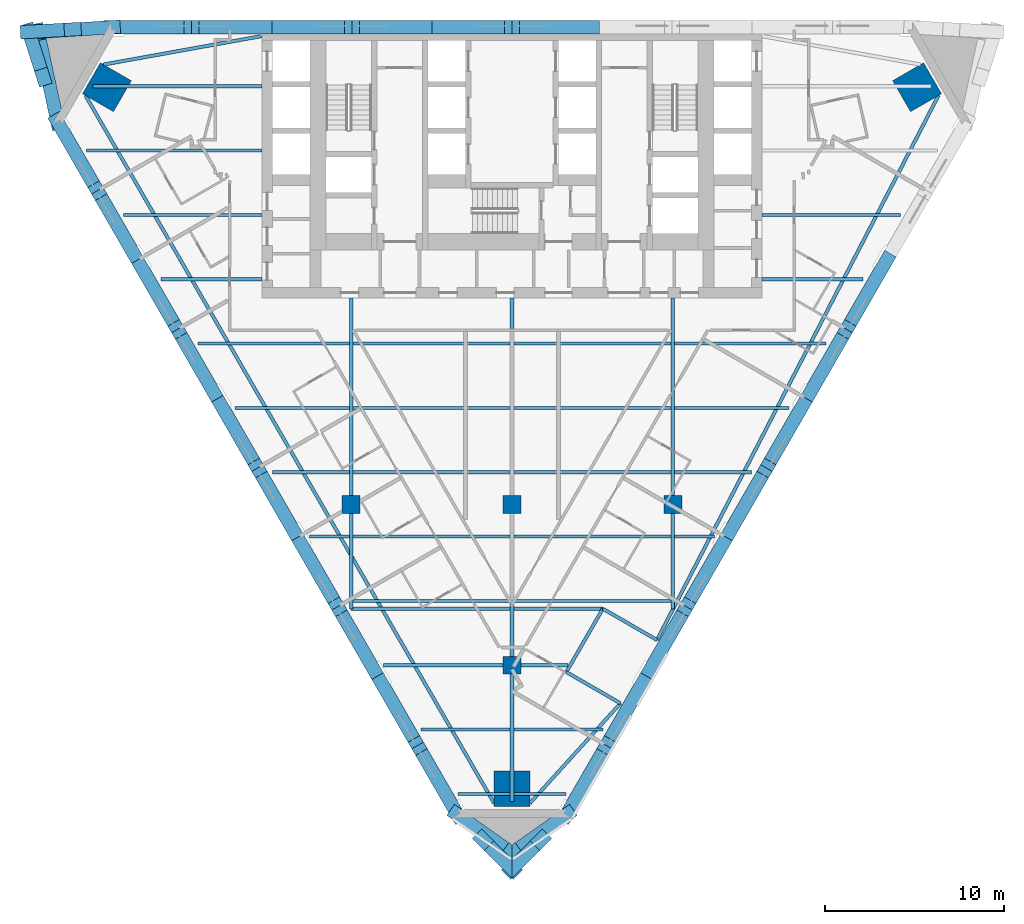
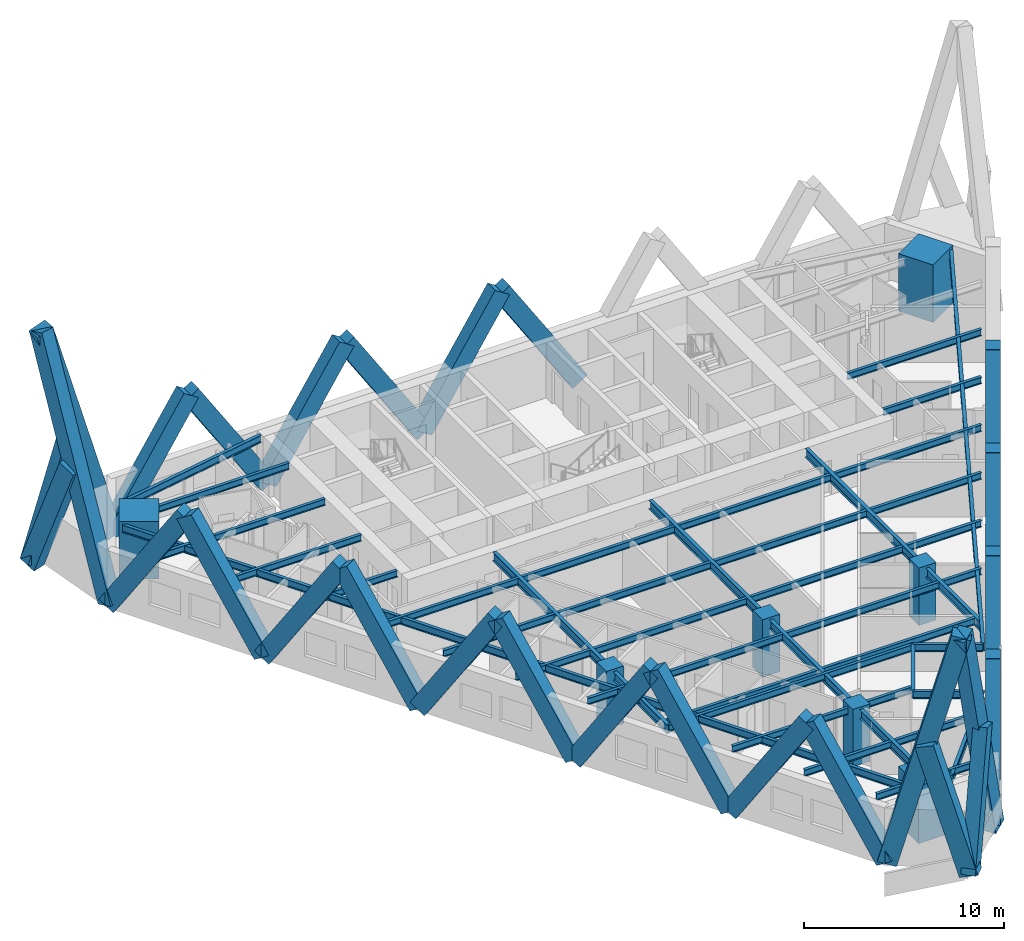
# One storey, part 1 of 11: 45 beams, 32 members, 7 columns.
"""IFC4 building model written with IfcOpenShell, lengths in metres."""

from ifc_helpers import new_model, si_unit, direction, frame, origin, origin_2d, place, context, subcontext, project, spatial, rectangle, i_section, extrude, material, material_profile, profile_set, type_object, element, save


model = new_model("IFC4")

# Units and contexts
model_context = context("Model", 3, precision=1e-05, world=origin(), true_north=direction((0.0, 1.0)))
body_context = subcontext(model_context, "Body", "Model", "MODEL_VIEW")
ifc_project = project(units=[si_unit("LENGTHUNIT", "METRE"), si_unit("AREAUNIT", "SQUARE_METRE"), si_unit("VOLUMEUNIT", "CUBIC_METRE"), si_unit("PLANEANGLEUNIT", "RADIAN"), si_unit("MASSUNIT", "GRAM", prefix="KILO")], contexts=[model_context])

# Site, building, storey
site_placement = place(None, origin())
site = spatial("IfcSite", under=ifc_project, at=site_placement, CompositionType="ELEMENT")
building_placement = place(site_placement, origin())
building = spatial("IfcBuilding", under=site, at=building_placement, Name="Aloe Facet Convention Tower", CompositionType="ELEMENT")
storey_placement = place(building_placement, frame((0.0, 0.0, 63.0)))
storey = spatial("IfcBuildingStorey", under=building, at=storey_placement, Name="L14", CompositionType="ELEMENT", Elevation=63.0)

# Columns
ifc_material_1 = material(Name="Concrete C70/85", Category="concrete")
ifc_material_profile_1 = material_profile(ifc_material_1, rectangle(XDim=1.0, YDim=1.0, at=origin_2d()), Name="SF-GC-Z1")
ifc_profile_set_1 = profile_set([ifc_material_profile_1], Name="Concrete C70/85")
column_type_1 = type_object("IfcColumnType", Name="SF-GC-Z1", PredefinedType="COLUMN", material=ifc_profile_set_1)
for number, where, z_axis, x_axis, name in (
    (1, (71.0, 108.0, 0.0), (0.0, 0.0, 1.0), (1.0, 0.0, 0.0), "Gravity column GC-Z1-8D"),
    (2, (80.0, 99.0, 0.0), (0.0, 0.0, 1.0), (1.0, 0.0, 0.0), "Gravity column GC-Z1-9E"),
    (3, (80.0, 108.0, 0.0), (0.0, 0.0, 1.0), (1.0, 0.0, 0.0), "Gravity column GC-Z1-9D"),
    (4, (89.0, 108.0, 0.0), (0.0, 0.0, 1.0), (1.0, 0.0, 0.0), "Gravity column GC-Z1-10D"),
):
    element("IfcColumn", number, at=place(storey_placement, frame(where, z_axis=z_axis, x_axis=x_axis)), inside=storey, type_object=column_type_1, Name=name, PredefinedType="COLUMN", context=body_context, shape_type="SweptSolid", body=[
        extrude(rectangle(XDim=1.0, YDim=1.0, at=origin_2d()), origin(), (0.0, 0.0, 1.0), 3.5),
    ])
ifc_material_2 = material(Name="Concrete C80/95", Category="concrete")
ifc_material_profile_2 = material_profile(ifc_material_2, rectangle(XDim=2.0, YDim=2.0, at=origin_2d()), Name="STW-MC-Z1")
ifc_profile_set_2 = profile_set([ifc_material_profile_2], Name="Concrete C80/95")
column_type_2 = type_object("IfcColumnType", Name="STW-MC-Z1", PredefinedType="COLUMN", material=ifc_profile_set_2)
for number, where, z_axis, x_axis, name in (
    (5, (102.664306640625, 131.342041015625, 0.0), (0.0, 0.0, 1.0), (-0.5, 0.866025403784, 0.0), "Mega-column MC-NE-L14"),
    (6, (57.335693359375, 131.342041015625, 0.0), (0.0, 0.0, 1.0), (-0.5, -0.866025403784, 0.0), "Mega-column MC-NW-L14"),
    (7, (80.0, 92.086181640625, 0.0), (0.0, 0.0, 1.0), (1.0, 0.0, 0.0), "Mega-column MC-S-L14"),
):
    element("IfcColumn", number, at=place(storey_placement, frame(where, z_axis=z_axis, x_axis=x_axis)), inside=storey, type_object=column_type_2, Name=name, PredefinedType="COLUMN", context=body_context, shape_type="SweptSolid", body=[
        extrude(rectangle(XDim=2.0, YDim=2.0, at=origin_2d()), origin(), (0.0, 0.0, 1.0), 3.5),
    ])

# Beams
ifc_material_3 = material(Name="Steel S355", Category="steel")
ifc_material_profile_3 = material_profile(ifc_material_3, i_section(OverallWidth=0.177734375, OverallDepth=0.402587890625, WebThickness=0.0078125, FlangeThickness=0.010986328125, FilletRadius=0.01025390625, at=origin_2d()), Name="UB 406x178x54")
ifc_profile_set_3 = profile_set([ifc_material_profile_3], Name="Steel S355")
beam_type_1 = type_object("IfcBeamType", Name="SF-B-UB406x178x54", PredefinedType="BEAM", material=ifc_profile_set_3)
beam_1_placement = place(storey_placement, frame((56.194580078125, 127.800048828125, 3.148681640625), z_axis=(1.0, 0.0, 0.0), x_axis=(0.0, 1.0, 0.0)))
element("IfcBeam", 8, at=beam_1_placement, inside=storey, type_object=beam_type_1, Name="Floor beam FB-Z1G-016", PredefinedType="BEAM", context=body_context, shape_type="SweptSolid", body=[
    extrude(i_section(OverallWidth=0.177734375, OverallDepth=0.402587890625, WebThickness=0.0078125, FlangeThickness=0.010986328125, FilletRadius=0.01025390625, at=origin_2d()), origin(), (0.0, 0.0, 1.0), 9.805419921875),
])
beam_2_placement = place(storey_placement, frame((56.55908203125, 131.39990234375, 3.148681640625), z_axis=(1.0, 0.0, 0.0), x_axis=(0.0, 1.0, 0.0)))
element("IfcBeam", 9, at=beam_2_placement, inside=storey, type_object=beam_type_1, Name="Floor beam FB-Z1G-017", PredefinedType="BEAM", context=body_context, shape_type="SweptSolid", body=[
    extrude(i_section(OverallWidth=0.177734375, OverallDepth=0.402587890625, WebThickness=0.0078125, FlangeThickness=0.010986328125, FilletRadius=0.01025390625, at=origin_2d()), origin(), (0.0, 0.0, 1.0), 9.44091796875),
])
beam_3_placement = place(storey_placement, frame((58.27294921875, 124.199951171875, 3.148681640625), z_axis=(1.0, 0.0, 0.0), x_axis=(0.0, 1.0, 0.0)))
element("IfcBeam", 10, at=beam_3_placement, inside=storey, type_object=beam_type_1, Name="Floor beam FB-Z1G-018", PredefinedType="BEAM", context=body_context, shape_type="SweptSolid", body=[
    extrude(i_section(OverallWidth=0.177734375, OverallDepth=0.402587890625, WebThickness=0.0078125, FlangeThickness=0.010986328125, FilletRadius=0.01025390625, at=origin_2d()), origin(), (0.0, 0.0, 1.0), 7.72705078125),
])
beam_4_placement = place(storey_placement, frame((60.351318359375, 120.60009765625, 3.148681640625), z_axis=(1.0, 0.0, 0.0), x_axis=(0.0, 1.0, 0.0)))
element("IfcBeam", 11, at=beam_4_placement, inside=storey, type_object=beam_type_1, Name="Floor beam FB-Z1G-019", PredefinedType="BEAM", context=body_context, shape_type="SweptSolid", body=[
    extrude(i_section(OverallWidth=0.177734375, OverallDepth=0.402587890625, WebThickness=0.0078125, FlangeThickness=0.010986328125, FilletRadius=0.01025390625, at=origin_2d()), origin(), (0.0, 0.0, 1.0), 5.648681640625),
])
beam_5_placement = place(storey_placement, frame((62.429931640625, 117.0, 3.148681640625), z_axis=(1.0, 0.0, 0.0), x_axis=(0.0, 1.0, 0.0)))
element("IfcBeam", 12, at=beam_5_placement, inside=storey, type_object=beam_type_1, Name="Floor beam FB-Z1G-020", PredefinedType="BEAM", context=body_context, shape_type="SweptSolid", body=[
    extrude(i_section(OverallWidth=0.177734375, OverallDepth=0.402587890625, WebThickness=0.0078125, FlangeThickness=0.010986328125, FilletRadius=0.01025390625, at=origin_2d()), origin(), (0.0, 0.0, 1.0), 8.464599609375),
])
beam_6_placement = place(storey_placement, frame((64.50830078125, 113.39990234375, 3.148681640625), z_axis=(1.0, 0.0, 0.0), x_axis=(0.0, 1.0, 0.0)))
element("IfcBeam", 13, at=beam_6_placement, inside=storey, type_object=beam_type_1, Name="Floor beam FB-Z1G-021", PredefinedType="BEAM", context=body_context, shape_type="SweptSolid", body=[
    extrude(i_section(OverallWidth=0.177734375, OverallDepth=0.402587890625, WebThickness=0.0078125, FlangeThickness=0.010986328125, FilletRadius=0.01025390625, at=origin_2d()), origin(), (0.0, 0.0, 1.0), 6.38623046875),
])
beam_7_placement = place(storey_placement, frame((66.5869140625, 109.800048828125, 3.148681640625), z_axis=(1.0, 0.0, 0.0), x_axis=(0.0, 1.0, 0.0)))
element("IfcBeam", 14, at=beam_7_placement, inside=storey, type_object=beam_type_1, Name="Floor beam FB-Z1G-022", PredefinedType="BEAM", context=body_context, shape_type="SweptSolid", body=[
    extrude(i_section(OverallWidth=0.177734375, OverallDepth=0.402587890625, WebThickness=0.0078125, FlangeThickness=0.010986328125, FilletRadius=0.01025390625, at=origin_2d()), origin(), (0.0, 0.0, 1.0), 4.3076171875),
])
beam_8_placement = place(storey_placement, frame((68.665283203125, 106.199951171875, 3.148681640625), z_axis=(1.0, 0.0, 0.0), x_axis=(0.0, 1.0, 0.0)))
element("IfcBeam", 15, at=beam_8_placement, inside=storey, type_object=beam_type_1, Name="Floor beam FB-Z1G-023", PredefinedType="BEAM", context=body_context, shape_type="SweptSolid", body=[
    extrude(i_section(OverallWidth=0.177734375, OverallDepth=0.402587890625, WebThickness=0.0078125, FlangeThickness=0.010986328125, FilletRadius=0.01025390625, at=origin_2d()), origin(), (0.0, 0.0, 1.0), 2.229248046875),
])
for number, where, z_axis, x_axis, name in (
    (16, (71.10546875, 102.60009765625, 3.148681640625), (1.0, 0.0, 0.0), (0.0, 1.0, 0.0), "Floor beam FB-Z1G-024"),
    (17, (71.10546875, 106.199951171875, 3.148681640625), (1.0, 0.0, 0.0), (0.0, 1.0, 0.0), "Floor beam FB-Z1G-025"),
    (18, (71.10546875, 109.800048828125, 3.148681640625), (1.0, 0.0, 0.0), (0.0, 1.0, 0.0), "Floor beam FB-Z1G-026"),
    (19, (71.10546875, 113.39990234375, 3.148681640625), (1.0, 0.0, 0.0), (0.0, 1.0, 0.0), "Floor beam FB-Z1G-027"),
    (20, (71.10546875, 117.0, 3.148681640625), (1.0, 0.0, 0.0), (0.0, 1.0, 0.0), "Floor beam FB-Z1G-028"),
):
    element("IfcBeam", number, at=place(storey_placement, frame(where, z_axis=z_axis, x_axis=x_axis)), inside=storey, type_object=beam_type_1, Name=name, PredefinedType="BEAM", context=body_context, shape_type="SweptSolid", body=[
        extrude(i_section(OverallWidth=0.177734375, OverallDepth=0.402587890625, WebThickness=0.0078125, FlangeThickness=0.010986328125, FilletRadius=0.01025390625, at=origin_2d()), origin(), (0.0, 0.0, 1.0), 8.7890625),
    ])
beam_9_placement = place(storey_placement, frame((72.822265625, 99.0, 3.148681640625), z_axis=(1.0, 0.0, 0.0), x_axis=(0.0, 1.0, 0.0)))
element("IfcBeam", 21, at=beam_9_placement, inside=storey, type_object=beam_type_1, Name="Floor beam FB-Z1G-029", PredefinedType="BEAM", context=body_context, shape_type="SweptSolid", body=[
    extrude(i_section(OverallWidth=0.177734375, OverallDepth=0.402587890625, WebThickness=0.0078125, FlangeThickness=0.010986328125, FilletRadius=0.01025390625, at=origin_2d()), origin(), (0.0, 0.0, 1.0), 6.677734375),
])
beam_10_placement = place(storey_placement, frame((74.900634765625, 95.39990234375, 3.148681640625), z_axis=(1.0, 0.0, 0.0), x_axis=(0.0, 1.0, 0.0)))
element("IfcBeam", 22, at=beam_10_placement, inside=storey, type_object=beam_type_1, Name="Floor beam FB-Z1G-030", PredefinedType="BEAM", context=body_context, shape_type="SweptSolid", body=[
    extrude(i_section(OverallWidth=0.177734375, OverallDepth=0.402587890625, WebThickness=0.0078125, FlangeThickness=0.010986328125, FilletRadius=0.01025390625, at=origin_2d()), origin(), (0.0, 0.0, 1.0), 4.993896484375),
])
for number, where, z_axis, x_axis, name in (
    (23, (76.97900390625, 91.800048828125, 3.148681640625), (1.0, 0.0, 0.0), (0.0, 1.0, 0.0), "Floor beam FB-Z1G-031"),
    (24, (80.10546875, 91.800048828125, 3.148681640625), (1.0, 0.0, 0.0), (0.0, 1.0, 0.0), "Floor beam FB-Z1G-032"),
):
    element("IfcBeam", number, at=place(storey_placement, frame(where, z_axis=z_axis, x_axis=x_axis)), inside=storey, type_object=beam_type_1, Name=name, PredefinedType="BEAM", context=body_context, shape_type="SweptSolid", body=[
        extrude(i_section(OverallWidth=0.177734375, OverallDepth=0.402587890625, WebThickness=0.0078125, FlangeThickness=0.010986328125, FilletRadius=0.01025390625, at=origin_2d()), origin(), (0.0, 0.0, 1.0), 2.91552734375),
    ])
beam_11_placement = place(storey_placement, frame((80.10546875, 95.39990234375, 3.148681640625), z_axis=(1.0, 0.0, 0.0), x_axis=(0.0, 1.0, 0.0)))
element("IfcBeam", 25, at=beam_11_placement, inside=storey, type_object=beam_type_1, Name="Floor beam FB-Z1G-033", PredefinedType="BEAM", context=body_context, shape_type="SweptSolid", body=[
    extrude(i_section(OverallWidth=0.177734375, OverallDepth=0.402587890625, WebThickness=0.0078125, FlangeThickness=0.010986328125, FilletRadius=0.01025390625, at=origin_2d()), origin(), (0.0, 0.0, 1.0), 4.993896484375),
])
for number, where, z_axis, x_axis, name in (
    (26, (80.10546875, 102.60009765625, 3.148681640625), (1.0, 0.0, 0.0), (0.0, 1.0, 0.0), "Floor beam FB-Z1G-034"),
    (27, (80.10546875, 106.199951171875, 3.148681640625), (1.0, 0.0, 0.0), (0.0, 1.0, 0.0), "Floor beam FB-Z1G-035"),
    (28, (80.10546875, 109.800048828125, 3.148681640625), (1.0, 0.0, 0.0), (0.0, 1.0, 0.0), "Floor beam FB-Z1G-036"),
    (29, (80.10546875, 113.39990234375, 3.148681640625), (1.0, 0.0, 0.0), (0.0, 1.0, 0.0), "Floor beam FB-Z1G-037"),
    (30, (80.10546875, 117.0, 3.148681640625), (1.0, 0.0, 0.0), (0.0, 1.0, 0.0), "Floor beam FB-Z1G-038"),
):
    element("IfcBeam", number, at=place(storey_placement, frame(where, z_axis=z_axis, x_axis=x_axis)), inside=storey, type_object=beam_type_1, Name=name, PredefinedType="BEAM", context=body_context, shape_type="SweptSolid", body=[
        extrude(i_section(OverallWidth=0.177734375, OverallDepth=0.402587890625, WebThickness=0.0078125, FlangeThickness=0.010986328125, FilletRadius=0.01025390625, at=origin_2d()), origin(), (0.0, 0.0, 1.0), 8.7890625),
    ])
beam_12_placement = place(storey_placement, frame((80.5, 99.0, 3.148681640625), z_axis=(1.0, 0.0, 0.0), x_axis=(0.0, 1.0, 0.0)))
element("IfcBeam", 31, at=beam_12_placement, inside=storey, type_object=beam_type_1, Name="Floor beam FB-Z1G-039", PredefinedType="BEAM", context=body_context, shape_type="SweptSolid", body=[
    extrude(i_section(OverallWidth=0.177734375, OverallDepth=0.402587890625, WebThickness=0.0078125, FlangeThickness=0.010986328125, FilletRadius=0.01025390625, at=origin_2d()), origin(), (0.0, 0.0, 1.0), 2.636474609375),
])
beam_13_placement = place(storey_placement, frame((85.0830078125, 102.164306640625, 3.148681640625), z_axis=(-1.0, 0.0, 0.0), x_axis=(0.0, -1.0, 0.0)))
element("IfcBeam", 32, at=beam_13_placement, inside=storey, type_object=beam_type_1, Name="Floor beam FB-Z1G-040", PredefinedType="BEAM", context=body_context, shape_type="SweptSolid", body=[
    extrude(i_section(OverallWidth=0.177734375, OverallDepth=0.402587890625, WebThickness=0.0078125, FlangeThickness=0.010986328125, FilletRadius=0.01025390625, at=origin_2d()), origin(), (0.0, 0.0, 1.0), 14.0830078125),
])
beam_14_placement = place(storey_placement, frame((89.10546875, 106.199951171875, 3.148681640625), z_axis=(1.0, 0.0, 0.0), x_axis=(0.0, 1.0, 0.0)))
element("IfcBeam", 33, at=beam_14_placement, inside=storey, type_object=beam_type_1, Name="Floor beam FB-Z1G-041", PredefinedType="BEAM", context=body_context, shape_type="SweptSolid", body=[
    extrude(i_section(OverallWidth=0.177734375, OverallDepth=0.402587890625, WebThickness=0.0078125, FlangeThickness=0.010986328125, FilletRadius=0.01025390625, at=origin_2d()), origin(), (0.0, 0.0, 1.0), 2.229248046875),
])
beam_15_placement = place(storey_placement, frame((89.10546875, 109.800048828125, 3.148681640625), z_axis=(1.0, 0.0, 0.0), x_axis=(0.0, 1.0, 0.0)))
element("IfcBeam", 34, at=beam_15_placement, inside=storey, type_object=beam_type_1, Name="Floor beam FB-Z1G-042", PredefinedType="BEAM", context=body_context, shape_type="SweptSolid", body=[
    extrude(i_section(OverallWidth=0.177734375, OverallDepth=0.402587890625, WebThickness=0.0078125, FlangeThickness=0.010986328125, FilletRadius=0.01025390625, at=origin_2d()), origin(), (0.0, 0.0, 1.0), 4.3076171875),
])
beam_16_placement = place(storey_placement, frame((89.10546875, 113.39990234375, 3.148681640625), z_axis=(1.0, 0.0, 0.0), x_axis=(0.0, 1.0, 0.0)))
element("IfcBeam", 35, at=beam_16_placement, inside=storey, type_object=beam_type_1, Name="Floor beam FB-Z1G-043", PredefinedType="BEAM", context=body_context, shape_type="SweptSolid", body=[
    extrude(i_section(OverallWidth=0.177734375, OverallDepth=0.402587890625, WebThickness=0.0078125, FlangeThickness=0.010986328125, FilletRadius=0.01025390625, at=origin_2d()), origin(), (0.0, 0.0, 1.0), 6.38623046875),
])
beam_17_placement = place(storey_placement, frame((89.10546875, 117.0, 3.148681640625), z_axis=(1.0, 0.0, 0.0), x_axis=(0.0, 1.0, 0.0)))
element("IfcBeam", 36, at=beam_17_placement, inside=storey, type_object=beam_type_1, Name="Floor beam FB-Z1G-044", PredefinedType="BEAM", context=body_context, shape_type="SweptSolid", body=[
    extrude(i_section(OverallWidth=0.177734375, OverallDepth=0.402587890625, WebThickness=0.0078125, FlangeThickness=0.010986328125, FilletRadius=0.01025390625, at=origin_2d()), origin(), (0.0, 0.0, 1.0), 8.464599609375),
])
beam_18_placement = place(storey_placement, frame((94.0, 120.60009765625, 3.148681640625), z_axis=(1.0, 0.0, 0.0), x_axis=(0.0, 1.0, 0.0)))
element("IfcBeam", 37, at=beam_18_placement, inside=storey, type_object=beam_type_1, Name="Floor beam FB-Z1G-045", PredefinedType="BEAM", context=body_context, shape_type="SweptSolid", body=[
    extrude(i_section(OverallWidth=0.177734375, OverallDepth=0.402587890625, WebThickness=0.0078125, FlangeThickness=0.010986328125, FilletRadius=0.01025390625, at=origin_2d()), origin(), (0.0, 0.0, 1.0), 5.648681640625),
])
beam_19_placement = place(storey_placement, frame((94.0, 124.199951171875, 3.148681640625), z_axis=(1.0, 0.0, 0.0), x_axis=(0.0, 1.0, 0.0)))
element("IfcBeam", 38, at=beam_19_placement, inside=storey, type_object=beam_type_1, Name="Floor beam FB-Z1G-046", PredefinedType="BEAM", context=body_context, shape_type="SweptSolid", body=[
    extrude(i_section(OverallWidth=0.177734375, OverallDepth=0.402587890625, WebThickness=0.0078125, FlangeThickness=0.010986328125, FilletRadius=0.01025390625, at=origin_2d()), origin(), (0.0, 0.0, 1.0), 7.72705078125),
])
ifc_material_4 = material(Name="Steel S355", Category="steel")
ifc_material_profile_4 = material_profile(ifc_material_4, i_section(OverallWidth=0.18994140625, OverallDepth=0.453369140625, WebThickness=0.008544921875, FlangeThickness=0.0126953125, FilletRadius=0.01025390625, at=origin_2d()), Name="UB 457x191x67")
ifc_profile_set_4 = profile_set([ifc_material_profile_4], Name="Steel S355")
beam_type_2 = type_object("IfcBeamType", Name="SF-B-UB457x191x67", PredefinedType="BEAM", material=ifc_profile_set_4)
beam_20_placement = place(storey_placement, frame((66.0, 134.205078125, 3.123291015625), z_axis=(-0.984194951593, -0.177088388265, 0.0), x_axis=(0.177088388265, -0.984194951593, 0.0)))
element("IfcBeam", 39, at=beam_20_placement, inside=storey, type_object=beam_type_2, Name="Floor beam FB-Z1G-001", PredefinedType="BEAM", context=body_context, shape_type="SweptSolid", body=[
    extrude(i_section(OverallWidth=0.18994140625, OverallDepth=0.453369140625, WebThickness=0.008544921875, FlangeThickness=0.0126953125, FilletRadius=0.01025390625, at=origin_2d()), origin(), (0.0, 0.0, 1.0), 9.00390625),
])
beam_21_placement = place(storey_placement, frame((79.0, 91.28125, 3.123291015625), z_axis=(-0.499999929878, 0.866025444269, 0.0), x_axis=(-0.866025444269, -0.499999929878, 0.0)))
element("IfcBeam", 40, at=beam_21_placement, inside=storey, type_object=beam_type_2, Name="Floor beam FB-Z1G-002", PredefinedType="BEAM", context=body_context, shape_type="SweptSolid", body=[
    extrude(i_section(OverallWidth=0.18994140625, OverallDepth=0.453369140625, WebThickness=0.008544921875, FlangeThickness=0.0126953125, FilletRadius=0.01025390625, at=origin_2d()), origin(), (0.0, 0.0, 1.0), 45.72314453125),
])
beam_22_placement = place(storey_placement, frame((83.0380859375, 98.622314453125, 3.123291015625), z_axis=(0.866019471182, -0.500010275428, 0.0), x_axis=(0.500010275428, 0.866019471182, 0.0)))
element("IfcBeam", 41, at=beam_22_placement, inside=storey, type_object=beam_type_2, Name="Floor beam FB-Z1G-003", PredefinedType="BEAM", context=body_context, shape_type="SweptSolid", body=[
    extrude(i_section(OverallWidth=0.18994140625, OverallDepth=0.453369140625, WebThickness=0.008544921875, FlangeThickness=0.0126953125, FilletRadius=0.01025390625, at=origin_2d()), origin(), (0.0, 0.0, 1.0), 3.5),
])
beam_23_placement = place(storey_placement, frame((85.0830078125, 102.164306640625, 3.123291015625), z_axis=(-0.499991148707, -0.866030514021, 0.0), x_axis=(0.866030514021, -0.499991148707, 0.0)))
element("IfcBeam", 42, at=beam_23_placement, inside=storey, type_object=beam_type_2, Name="Floor beam FB-Z1G-004", PredefinedType="BEAM", context=body_context, shape_type="SweptSolid", body=[
    extrude(i_section(OverallWidth=0.18994140625, OverallDepth=0.453369140625, WebThickness=0.008544921875, FlangeThickness=0.0126953125, FilletRadius=0.01025390625, at=origin_2d()), origin(), (0.0, 0.0, 1.0), 4.08984375),
])
beam_24_placement = place(storey_placement, frame((86.069091796875, 96.872314453125, 3.123291015625), z_axis=(-0.671678712427, -0.74084256578, 0.0), x_axis=(0.74084256578, -0.671678712427, 0.0)))
element("IfcBeam", 43, at=beam_24_placement, inside=storey, type_object=beam_type_2, Name="Floor beam FB-Z1G-005", PredefinedType="BEAM", context=body_context, shape_type="SweptSolid", body=[
    extrude(i_section(OverallWidth=0.18994140625, OverallDepth=0.453369140625, WebThickness=0.008544921875, FlangeThickness=0.0126953125, FilletRadius=0.01025390625, at=origin_2d()), origin(), (0.0, 0.0, 1.0), 7.546875),
])
beam_25_placement = place(storey_placement, frame((88.114013671875, 100.414306640625, 3.123291015625), z_axis=(-0.866019471182, 0.500010275428, 0.0), x_axis=(-0.500010275428, -0.866019471182, 0.0)))
element("IfcBeam", 44, at=beam_25_placement, inside=storey, type_object=beam_type_2, Name="Floor beam FB-Z1G-006", PredefinedType="BEAM", context=body_context, shape_type="SweptSolid", body=[
    extrude(i_section(OverallWidth=0.18994140625, OverallDepth=0.453369140625, WebThickness=0.008544921875, FlangeThickness=0.0126953125, FilletRadius=0.01025390625, at=origin_2d()), origin(), (0.0, 0.0, 1.0), 3.5),
])
beam_26_placement = place(storey_placement, frame((88.114013671875, 100.414306640625, 3.123291015625), z_axis=(0.459195920917, 0.88833501913, 0.0), x_axis=(-0.88833501913, 0.459195920917, 0.0)))
element("IfcBeam", 45, at=beam_26_placement, inside=storey, type_object=beam_type_2, Name="Floor beam FB-Z1G-007", PredefinedType="BEAM", context=body_context, shape_type="SweptSolid", body=[
    extrude(i_section(OverallWidth=0.18994140625, OverallDepth=0.453369140625, WebThickness=0.008544921875, FlangeThickness=0.0126953125, FilletRadius=0.01025390625, at=origin_2d()), origin(), (0.0, 0.0, 1.0), 34.293701171875),
])
ifc_material_5 = material(Name="Steel S355", Category="steel")
ifc_material_profile_5 = material_profile(ifc_material_5, i_section(OverallWidth=0.210693359375, OverallDepth=0.53955078125, WebThickness=0.01171875, FlangeThickness=0.018798828125, FilletRadius=0.0126953125, at=origin_2d()), Name="UB 533x210x109")
ifc_profile_set_5 = profile_set([ifc_material_profile_5], Name="Steel S355")
beam_type_3 = type_object("IfcBeamType", Name="SF-B-UB533x210x109", PredefinedType="BEAM", material=ifc_profile_set_5)
beam_27_placement = place(storey_placement, frame((71.0, 107.5, 3.080078125), z_axis=(0.0, -1.0, 0.0), x_axis=(1.0, 0.0, 0.0)))
element("IfcBeam", 46, at=beam_27_placement, inside=storey, type_object=beam_type_3, Name="Floor beam FB-Z1G-009", PredefinedType="BEAM", context=body_context, shape_type="SweptSolid", body=[
    extrude(i_section(OverallWidth=0.210693359375, OverallDepth=0.53955078125, WebThickness=0.01171875, FlangeThickness=0.018798828125, FilletRadius=0.0126953125, at=origin_2d()), origin(), (0.0, 0.0, 1.0), 5.351318359375),
])
beam_28_placement = place(storey_placement, frame((71.0, 119.550048828125, 3.080078125), z_axis=(0.0, -1.0, 0.0), x_axis=(1.0, 0.0, 0.0)))
element("IfcBeam", 47, at=beam_28_placement, inside=storey, type_object=beam_type_3, Name="Floor beam FB-Z1G-010", PredefinedType="BEAM", context=body_context, shape_type="SweptSolid", body=[
    extrude(i_section(OverallWidth=0.210693359375, OverallDepth=0.53955078125, WebThickness=0.01171875, FlangeThickness=0.018798828125, FilletRadius=0.0126953125, at=origin_2d()), origin(), (0.0, 0.0, 1.0), 11.050048828125),
])
beam_29_placement = place(storey_placement, frame((80.0, 98.5, 3.080078125), z_axis=(0.0, -1.0, 0.0), x_axis=(1.0, 0.0, 0.0)))
element("IfcBeam", 48, at=beam_29_placement, inside=storey, type_object=beam_type_3, Name="Floor beam FB-Z1G-011", PredefinedType="BEAM", context=body_context, shape_type="SweptSolid", body=[
    extrude(i_section(OverallWidth=0.210693359375, OverallDepth=0.53955078125, WebThickness=0.01171875, FlangeThickness=0.018798828125, FilletRadius=0.0126953125, at=origin_2d()), origin(), (0.0, 0.0, 1.0), 7.11376953125),
])
beam_30_placement = place(storey_placement, frame((80.0, 107.5, 3.080078125), z_axis=(0.0, -1.0, 0.0), x_axis=(1.0, 0.0, 0.0)))
element("IfcBeam", 49, at=beam_30_placement, inside=storey, type_object=beam_type_3, Name="Floor beam FB-Z1G-012", PredefinedType="BEAM", context=body_context, shape_type="SweptSolid", body=[
    extrude(i_section(OverallWidth=0.210693359375, OverallDepth=0.53955078125, WebThickness=0.01171875, FlangeThickness=0.018798828125, FilletRadius=0.0126953125, at=origin_2d()), origin(), (0.0, 0.0, 1.0), 8.0),
])
beam_31_placement = place(storey_placement, frame((80.0, 119.550048828125, 3.080078125), z_axis=(0.0, -1.0, 0.0), x_axis=(1.0, 0.0, 0.0)))
element("IfcBeam", 50, at=beam_31_placement, inside=storey, type_object=beam_type_3, Name="Floor beam FB-Z1G-013", PredefinedType="BEAM", context=body_context, shape_type="SweptSolid", body=[
    extrude(i_section(OverallWidth=0.210693359375, OverallDepth=0.53955078125, WebThickness=0.01171875, FlangeThickness=0.018798828125, FilletRadius=0.0126953125, at=origin_2d()), origin(), (0.0, 0.0, 1.0), 11.050048828125),
])
beam_32_placement = place(storey_placement, frame((89.0, 107.5, 3.080078125), z_axis=(0.0, -1.0, 0.0), x_axis=(1.0, 0.0, 0.0)))
element("IfcBeam", 51, at=beam_32_placement, inside=storey, type_object=beam_type_3, Name="Floor beam FB-Z1G-014", PredefinedType="BEAM", context=body_context, shape_type="SweptSolid", body=[
    extrude(i_section(OverallWidth=0.210693359375, OverallDepth=0.53955078125, WebThickness=0.01171875, FlangeThickness=0.018798828125, FilletRadius=0.0126953125, at=origin_2d()), origin(), (0.0, 0.0, 1.0), 5.351318359375),
])
beam_33_placement = place(storey_placement, frame((89.0, 119.550048828125, 3.080078125), z_axis=(0.0, -1.0, 0.0), x_axis=(1.0, 0.0, 0.0)))
element("IfcBeam", 52, at=beam_33_placement, inside=storey, type_object=beam_type_3, Name="Floor beam FB-Z1G-015", PredefinedType="BEAM", context=body_context, shape_type="SweptSolid", body=[
    extrude(i_section(OverallWidth=0.210693359375, OverallDepth=0.53955078125, WebThickness=0.01171875, FlangeThickness=0.018798828125, FilletRadius=0.0126953125, at=origin_2d()), origin(), (0.0, 0.0, 1.0), 11.050048828125),
])

# Members
ifc_material_6 = material(Name="Concrete C60/75, bronze oxide finish", Category="concrete")
ifc_material_profile_6 = material_profile(ifc_material_6, rectangle(XDim=0.75, YDim=1.0, at=origin_2d()), Name="STW-LM")
ifc_profile_set_6 = profile_set([ifc_material_profile_6], Name="Concrete C60/75, bronze oxide finish")
member_type = type_object("IfcMemberType", Name="STW-LM", PredefinedType="BRACE", material=ifc_profile_set_6)
for number, where, z_axis, x_axis, name in (
    (53, (84.47998046875, 134.699951171875, 0.0), (-0.539052029218, 0.0, 0.84227246767), (0.0, -1.0, 0.0), "Lattice member LM-Z1-F1-R4-05"),
    (54, (75.52001953125, 134.699951171875, 0.0), (0.539052029218, 0.0, 0.84227246767), (0.0, 1.0, 0.0), "Lattice member LM-Z1-F1-R4-06"),
    (55, (75.52001953125, 134.699951171875, 0.0), (-0.539052029218, 0.0, 0.84227246767), (0.0, -1.0, 0.0), "Lattice member LM-Z1-F1-R4-07"),
    (56, (66.56005859375, 134.699951171875, 0.0), (0.539052029218, 0.0, 0.84227246767), (0.0, 1.0, 0.0), "Lattice member LM-Z1-F1-R4-08"),
    (57, (66.56005859375, 134.699951171875, 0.0), (-0.539052029218, 0.0, 0.84227246767), (0.0, -1.0, 0.0), "Lattice member LM-Z1-F1-R4-09"),
    (58, (57.60009765625, 134.699951171875, 0.0), (0.539052029218, 0.0, 0.84227246767), (0.0, 1.0, 0.0), "Lattice member LM-Z1-F1-R4-10"),
    (59, (54.559814453125, 129.434326171875, 0.0), (0.269524411036, -0.466842718276, 0.842267456482), (0.866031314237, 0.499989762656, 0.0), "Lattice member LM-Z1-F2-R4-01"),
    (60, (59.039794921875, 121.674560546875, 0.0), (-0.269524411036, 0.466842718276, 0.842267456482), (-0.866031314237, -0.499989762656, 0.0), "Lattice member LM-Z1-F2-R4-02"),
    (61, (59.039794921875, 121.674560546875, 0.0), (0.26952810724, -0.466819744104, 0.842279007171), (0.866017690131, 0.500013360201, 0.0), "Lattice member LM-Z1-F2-R4-03"),
    (62, (63.519775390625, 113.9150390625, 0.0), (-0.269524411036, 0.466842718276, 0.842267456482), (-0.866031314237, -0.499989762656, 0.0), "Lattice member LM-Z1-F2-R4-04"),
    (63, (63.519775390625, 113.9150390625, 0.0), (0.269524411036, -0.466842718276, 0.842267456482), (0.866031314237, 0.499989762656, 0.0), "Lattice member LM-Z1-F2-R4-05"),
    (64, (67.999755859375, 106.155517578125, 0.0), (-0.26952810724, 0.466819744104, 0.842279007171), (-0.866017690131, -0.500013360201, 0.0), "Lattice member LM-Z1-F2-R4-06"),
    (65, (67.999755859375, 106.155517578125, 0.0), (0.269524411036, -0.466842718276, 0.842267456482), (0.866031314237, 0.499989762656, 0.0), "Lattice member LM-Z1-F2-R4-07"),
    (66, (72.479736328125, 98.39599609375, 0.0), (-0.26952810724, 0.466819744104, 0.842279007171), (-0.866017690131, -0.500013360201, 0.0), "Lattice member LM-Z1-F2-R4-08"),
    (67, (72.479736328125, 98.39599609375, 0.0), (0.269524411036, -0.466842718276, 0.842267456482), (0.866031314237, 0.499989762656, 0.0), "Lattice member LM-Z1-F2-R4-09"),
    (68, (76.959716796875, 90.63623046875, 0.0), (-0.269524411036, 0.466842718276, 0.842267456482), (-0.866031314237, -0.499989762656, 0.0), "Lattice member LM-Z1-F2-R4-10"),
    (69, (83.040283203125, 90.63623046875, 0.0), (0.269524411036, 0.466842718276, 0.842267456482), (-0.866031314237, 0.499989762656, 0.0), "Lattice member LM-Z1-F3-R4-01"),
    (70, (87.520263671875, 98.39599609375, 0.0), (-0.269524411036, -0.466842718276, 0.842267456482), (0.866031314237, -0.499989762656, 0.0), "Lattice member LM-Z1-F3-R4-02"),
    (71, (87.520263671875, 98.39599609375, 0.0), (0.26952810724, 0.466819744104, 0.842279007171), (-0.866017690131, 0.500013360201, 0.0), "Lattice member LM-Z1-F3-R4-03"),
    (72, (92.000244140625, 106.155517578125, 0.0), (-0.269524411036, -0.466842718276, 0.842267456482), (0.866031314237, -0.499989762656, 0.0), "Lattice member LM-Z1-F3-R4-04"),
    (73, (92.000244140625, 106.155517578125, 0.0), (0.26952810724, 0.466819744104, 0.842279007171), (-0.866017690131, 0.500013360201, 0.0), "Lattice member LM-Z1-F3-R4-05"),
    (74, (96.480224609375, 113.9150390625, 0.0), (-0.269524411036, -0.466842718276, 0.842267456482), (0.866031314237, -0.499989762656, 0.0), "Lattice member LM-Z1-F3-R4-06"),
    (75, (96.480224609375, 113.9150390625, 0.0), (0.269524411036, 0.466842718276, 0.842267456482), (-0.866031314237, 0.499989762656, 0.0), "Lattice member LM-Z1-F3-R4-07"),
    (76, (100.960205078125, 121.674560546875, 0.0), (-0.26952810724, -0.466819744104, 0.842279007171), (0.866017690131, -0.500013360201, 0.0), "Lattice member LM-Z1-F3-R4-08"),
):
    element("IfcMember", number, at=place(storey_placement, frame(where, z_axis=z_axis, x_axis=x_axis)), inside=storey, type_object=member_type, Name=name, PredefinedType="BRACE", context=body_context, shape_type="SweptSolid", body=[
        extrude(rectangle(XDim=0.75, YDim=1.0, at=origin_2d()), origin(), (0.0, 0.0, 1.0), 8.310791015625),
    ])
member_1_placement = place(storey_placement, frame((57.60009765625, 134.699951171875, 0.0), z_axis=(-0.282214458957, -0.018064936918, 0.95918124315), x_axis=(0.063880639511, -0.997957546139, 0.0)))
element("IfcMember", 77, at=member_1_placement, inside=storey, type_object=member_type, Name="Lattice member LM-Z1-F4-R4-01", PredefinedType="BRACE", context=body_context, shape_type="SweptSolid", body=[
    extrude(rectangle(XDim=0.75, YDim=1.0, at=origin_2d()), origin(), (0.0, 0.0, 1.0), 14.595703125),
])
member_2_placement = place(storey_placement, frame((52.971435546875, 134.44384765625, 0.0), z_axis=(0.313850815326, 0.01736835203, 0.949313439317), x_axis=(-0.055254971959, 0.998472277068, 0.0)))
element("IfcMember", 78, at=member_2_placement, inside=storey, type_object=member_type, Name="Lattice member LM-Z1-F4-R4-02", PredefinedType="BRACE", context=body_context, shape_type="SweptSolid", body=[
    extrude(rectangle(XDim=0.75, YDim=1.0, at=origin_2d()), origin(), (0.0, 0.0, 1.0), 7.801513671875),
])
member_3_placement = place(storey_placement, frame((54.559814453125, 129.434326171875, 0.0), z_axis=(-0.072378267378, 0.335570477945, 0.93923045135), x_axis=(-0.977520851271, -0.210838766193, 0.0)))
element("IfcMember", 79, at=member_3_placement, inside=storey, type_object=member_type, Name="Lattice member LM-Z1-F4-R4-03", PredefinedType="BRACE", context=body_context, shape_type="SweptSolid", body=[
    extrude(rectangle(XDim=0.75, YDim=1.0, at=origin_2d()), origin(), (0.0, 0.0, 1.0), 14.90576171875),
])
member_4_placement = place(storey_placement, frame((52.971435546875, 134.44384765625, 0.0), z_axis=(0.106203195481, -0.335005530179, 0.936211608569), x_axis=(0.953245450504, 0.302197139453, 0.0)))
element("IfcMember", 80, at=member_4_placement, inside=storey, type_object=member_type, Name="Lattice member LM-Z1-F4-R4-04", PredefinedType="BRACE", context=body_context, shape_type="SweptSolid", body=[
    extrude(rectangle(XDim=0.75, YDim=1.0, at=origin_2d()), origin(), (0.0, 0.0, 1.0), 7.5791015625),
])
member_5_placement = place(storey_placement, frame((76.959716796875, 90.63623046875, 0.0), z_axis=(0.209875130949, -0.148141203006, 0.96644017579), x_axis=(0.576667743205, 0.816978772029, 0.0)))
element("IfcMember", 81, at=member_5_placement, inside=storey, type_object=member_type, Name="Lattice member LM-Z1-F5-R4-01", PredefinedType="BRACE", context=body_context, shape_type="SweptSolid", body=[
    extrude(rectangle(XDim=0.75, YDim=1.0, at=origin_2d()), origin(), (0.0, 0.0, 1.0), 14.486083984375),
])
member_6_placement = place(storey_placement, frame((80.0, 87.624755859375, 0.0), z_axis=(-0.207674237534, 0.20571181411, 0.956323198819), x_axis=(-0.703742079069, -0.710455548327, 0.0)))
element("IfcMember", 82, at=member_6_placement, inside=storey, type_object=member_type, Name="Lattice member LM-Z1-F5-R4-02", PredefinedType="BRACE", context=body_context, shape_type="SweptSolid", body=[
    extrude(rectangle(XDim=0.75, YDim=1.0, at=origin_2d()), origin(), (0.0, 0.0, 1.0), 7.837646484375),
])
member_7_placement = place(storey_placement, frame((83.040283203125, 90.63623046875, 0.0), z_axis=(-0.209875130949, -0.148141203006, 0.96644017579), x_axis=(0.576667743205, -0.816978772029, 0.0)))
element("IfcMember", 83, at=member_7_placement, inside=storey, type_object=member_type, Name="Lattice member LM-Z1-F5-R4-03", PredefinedType="BRACE", context=body_context, shape_type="SweptSolid", body=[
    extrude(rectangle(XDim=0.75, YDim=1.0, at=origin_2d()), origin(), (0.0, 0.0, 1.0), 14.486083984375),
])
member_8_placement = place(storey_placement, frame((80.0, 87.624755859375, 0.0), z_axis=(0.207674237534, 0.20571181411, 0.956323198819), x_axis=(-0.703742079069, 0.710455548327, 0.0)))
element("IfcMember", 84, at=member_8_placement, inside=storey, type_object=member_type, Name="Lattice member LM-Z1-F5-R4-04", PredefinedType="BRACE", context=body_context, shape_type="SweptSolid", body=[
    extrude(rectangle(XDim=0.75, YDim=1.0, at=origin_2d()), origin(), (0.0, 0.0, 1.0), 7.837646484375),
])

save(model, "model.ifc")
